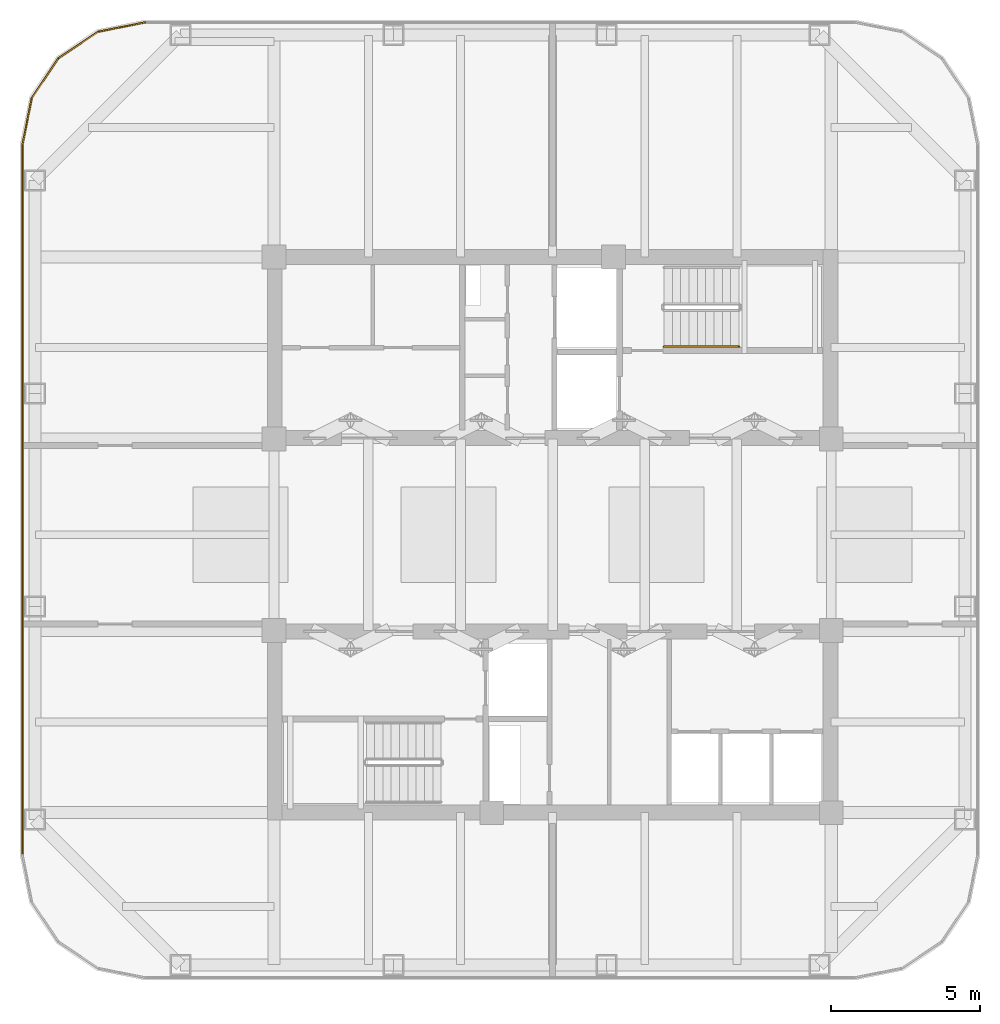
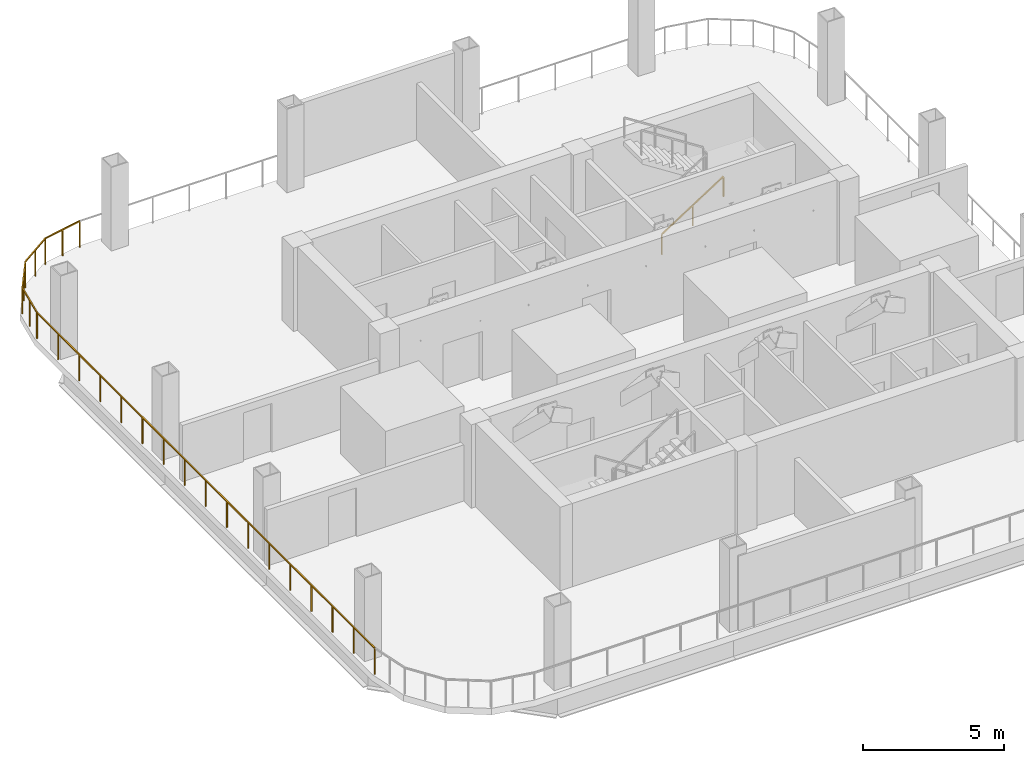
# One storey, part 6 of 9: 6 railings.
"""IFC4 building model written with IfcOpenShell, lengths in metres."""

from ifc_helpers import new_model, si_unit, direction, frame, origin, origin_2d, place, context, subcontext, project, spatial, rectangle, extrude, material, type_object, element, save


model = new_model("IFC4")

# Units and contexts
model_context = context("Model", 3, precision=1e-05, world=origin(), true_north=direction((0.0, 1.0)))
body_context = subcontext(model_context, "Body", "Model", "MODEL_VIEW")
ifc_project = project(units=[si_unit("LENGTHUNIT", "METRE"), si_unit("AREAUNIT", "SQUARE_METRE"), si_unit("VOLUMEUNIT", "CUBIC_METRE"), si_unit("PLANEANGLEUNIT", "RADIAN"), si_unit("MASSUNIT", "GRAM", prefix="KILO")], contexts=[model_context])

# Site, building, storey
site_placement = place(None, origin())
site = spatial("IfcSite", under=ifc_project, at=site_placement, CompositionType="ELEMENT")
building_placement = place(site_placement, origin())
building = spatial("IfcBuilding", under=site, at=building_placement, Name="Qhalaya Broadcast Tower", CompositionType="ELEMENT")
storey_placement = place(building_placement, frame((0.0, 0.0, 191.550048828125)))
storey = spatial("IfcBuildingStorey", under=building, at=storey_placement, Name="L56", CompositionType="ELEMENT", Elevation=191.550048828125)

# Railings
ifc_material = material(Name="Powder-Coated Galvanised Steel", Category="steel")
railing_type_1 = type_object("IfcRailingType", Name="Stair Wall Handrail 900", PredefinedType="HANDRAIL", material=ifc_material)
railing_1_placement = place(storey_placement, frame((3.75, 6.929931640625, 0.179931640625)))
element("IfcRailing", 1, at=railing_1_placement, inside=storey, type_object=railing_type_1, Name="L56 ST-1 Stair Handrail 1", PredefinedType="HANDRAIL", context=body_context, shape_type="SweptSolid", body=[
    extrude(rectangle(XDim=0.048095703125, YDim=0.048095703125, at=origin_2d()), frame((0.0, 0.0, 0.8759765625), z_axis=(0.841162588446, 0.0, 0.540782303519), x_axis=(0.0, 1.0, 0.0)), (0.0, 0.0, 1.0), 2.995849609375),
    extrude(rectangle(XDim=0.0419921875, YDim=0.0419921875, at=origin_2d()), origin(), (0.0, 0.0, 1.0), 0.849853515625),
    extrude(rectangle(XDim=0.0419921875, YDim=0.0419921875, at=origin_2d()), frame((1.260009765625, 0.0, 0.81005859375)), (0.0, 0.0, 1.0), 0.849853515625),
    extrude(rectangle(XDim=0.0419921875, YDim=0.0419921875, at=origin_2d()), frame((2.52001953125, 0.0, 1.6201171875)), (0.0, 0.0, 1.0), 0.849853515625),
])
railing_type_2 = type_object("IfcRailingType", Name="Terrace, Sky-Pool & Lookout Glass Balustrade 1150", PredefinedType="BALUSTRADE", material=ifc_material)
railing_2_placement = place(storey_placement, frame((-17.840087890625, -10.172119140625, 0.0)))
element("IfcRailing", 2, at=railing_2_placement, inside=storey, type_object=railing_type_2, Name="L56 Wind Slot Edge Guard 06", PredefinedType="BALUSTRADE", context=body_context, shape_type="SweptSolid", body=[
    extrude(rectangle(XDim=0.048095703125, YDim=0.048095703125, at=origin_2d()), frame((0.0, 0.0, 1.1259765625), z_axis=(0.0, 1.0, 0.0), x_axis=(-1.0, 0.0, 0.0)), (0.0, 0.0, 1.0), 23.88427734375),
    extrude(rectangle(XDim=0.0419921875, YDim=0.0419921875, at=origin_2d()), origin(), (0.0, 0.0, 1.0), 1.099853515625),
    extrude(rectangle(XDim=0.0419921875, YDim=0.0419921875, at=origin_2d()), frame((0.0, 1.49267578125, 0.0)), (0.0, 0.0, 1.0), 1.099853515625),
    extrude(rectangle(XDim=0.0419921875, YDim=0.0419921875, at=origin_2d()), frame((0.0, 2.985595703125, 0.0)), (0.0, 0.0, 1.0), 1.099853515625),
    extrude(rectangle(XDim=0.0419921875, YDim=0.0419921875, at=origin_2d()), frame((0.0, 4.478271484375, 0.0)), (0.0, 0.0, 1.0), 1.099853515625),
    extrude(rectangle(XDim=0.0419921875, YDim=0.0419921875, at=origin_2d()), frame((0.0, 5.97119140625, 0.0)), (0.0, 0.0, 1.0), 1.099853515625),
    extrude(rectangle(XDim=0.0419921875, YDim=0.0419921875, at=origin_2d()), frame((0.0, 7.4638671875, 0.0)), (0.0, 0.0, 1.0), 1.099853515625),
    extrude(rectangle(XDim=0.0419921875, YDim=0.0419921875, at=origin_2d()), frame((0.0, 8.95654296875, 0.0)), (0.0, 0.0, 1.0), 1.099853515625),
    extrude(rectangle(XDim=0.0419921875, YDim=0.0419921875, at=origin_2d()), frame((0.0, 10.449462890625, 0.0)), (0.0, 0.0, 1.0), 1.099853515625),
    extrude(rectangle(XDim=0.0419921875, YDim=0.0419921875, at=origin_2d()), frame((0.0, 11.942138671875, 0.0)), (0.0, 0.0, 1.0), 1.099853515625),
    extrude(rectangle(XDim=0.0419921875, YDim=0.0419921875, at=origin_2d()), frame((0.0, 13.434814453125, 0.0)), (0.0, 0.0, 1.0), 1.099853515625),
    extrude(rectangle(XDim=0.0419921875, YDim=0.0419921875, at=origin_2d()), frame((0.0, 14.927734375, 0.0)), (0.0, 0.0, 1.0), 1.099853515625),
    extrude(rectangle(XDim=0.0419921875, YDim=0.0419921875, at=origin_2d()), frame((0.0, 16.42041015625, 0.0)), (0.0, 0.0, 1.0), 1.099853515625),
    extrude(rectangle(XDim=0.0419921875, YDim=0.0419921875, at=origin_2d()), frame((0.0, 17.9130859375, 0.0)), (0.0, 0.0, 1.0), 1.099853515625),
    extrude(rectangle(XDim=0.0419921875, YDim=0.0419921875, at=origin_2d()), frame((0.0, 19.406005859375, 0.0)), (0.0, 0.0, 1.0), 1.099853515625),
    extrude(rectangle(XDim=0.0419921875, YDim=0.0419921875, at=origin_2d()), frame((0.0, 20.898681640625, 0.0)), (0.0, 0.0, 1.0), 1.099853515625),
    extrude(rectangle(XDim=0.0419921875, YDim=0.0419921875, at=origin_2d()), frame((0.0, 22.3916015625, 0.0)), (0.0, 0.0, 1.0), 1.099853515625),
    extrude(rectangle(XDim=0.0419921875, YDim=0.0419921875, at=origin_2d()), frame((0.0, 23.88427734375, 0.0)), (0.0, 0.0, 1.0), 1.099853515625),
])
railing_3_placement = place(storey_placement, frame((-17.840087890625, 13.712158203125, 0.0)))
element("IfcRailing", 3, at=railing_3_placement, inside=storey, type_object=railing_type_2, Name="L56 Wind Slot Edge Guard 07", PredefinedType="BALUSTRADE", context=body_context, shape_type="SweptSolid", body=[
    extrude(rectangle(XDim=0.048095703125, YDim=0.048095703125, at=origin_2d()), frame((0.0, 0.0, 1.1259765625), z_axis=(0.195156711682, 0.980772072342, 0.0), x_axis=(-0.980772072342, 0.195156711682, 0.0)), (0.0, 0.0, 1.0), 1.614990234375),
    extrude(rectangle(XDim=0.0419921875, YDim=0.0419921875, at=origin_2d()), origin(), (0.0, 0.0, 1.0), 1.099853515625),
    extrude(rectangle(XDim=0.0419921875, YDim=0.0419921875, at=origin_2d()), frame((0.15771484375, 0.7919921875, 0.0)), (0.0, 0.0, 1.0), 1.099853515625),
    extrude(rectangle(XDim=0.0419921875, YDim=0.0419921875, at=origin_2d()), frame((0.315185546875, 1.583984375, 0.0)), (0.0, 0.0, 1.0), 1.099853515625),
])
railing_4_placement = place(storey_placement, frame((-17.52490234375, 15.296142578125, 0.0)))
element("IfcRailing", 4, at=railing_4_placement, inside=storey, type_object=railing_type_2, Name="L56 Wind Slot Edge Guard 08", PredefinedType="BALUSTRADE", context=body_context, shape_type="SweptSolid", body=[
    extrude(rectangle(XDim=0.048095703125, YDim=0.048095703125, at=origin_2d()), frame((0.0, 0.0, 1.1259765625), z_axis=(0.555646543594, 0.831418618142, 0.0), x_axis=(-0.831418618142, 0.555646543594, 0.0)), (0.0, 0.0, 1.0), 1.60693359375),
    extrude(rectangle(XDim=0.0419921875, YDim=0.0419921875, at=origin_2d()), origin(), (0.0, 0.0, 1.0), 1.099853515625),
    extrude(rectangle(XDim=0.0419921875, YDim=0.0419921875, at=origin_2d()), frame((0.4462890625, 0.66796875, 0.0)), (0.0, 0.0, 1.0), 1.099853515625),
    extrude(rectangle(XDim=0.0419921875, YDim=0.0419921875, at=origin_2d()), frame((0.892822265625, 1.3359375, 0.0)), (0.0, 0.0, 1.0), 1.099853515625),
])
railing_5_placement = place(storey_placement, frame((-16.632080078125, 16.632080078125, 0.0)))
element("IfcRailing", 5, at=railing_5_placement, inside=storey, type_object=railing_type_2, Name="L56 Wind Slot Edge Guard 09", PredefinedType="BALUSTRADE", context=body_context, shape_type="SweptSolid", body=[
    extrude(rectangle(XDim=0.048095703125, YDim=0.048095703125, at=origin_2d()), frame((0.0, 0.0, 1.1259765625), z_axis=(0.831418618142, 0.555646543594, 0.0), x_axis=(-0.555646543594, 0.831418618142, 0.0)), (0.0, 0.0, 1.0), 1.60693359375),
    extrude(rectangle(XDim=0.0419921875, YDim=0.0419921875, at=origin_2d()), origin(), (0.0, 0.0, 1.0), 1.099853515625),
    extrude(rectangle(XDim=0.0419921875, YDim=0.0419921875, at=origin_2d()), frame((0.66796875, 0.4462890625, 0.0)), (0.0, 0.0, 1.0), 1.099853515625),
    extrude(rectangle(XDim=0.0419921875, YDim=0.0419921875, at=origin_2d()), frame((1.3359375, 0.892822265625, 0.0)), (0.0, 0.0, 1.0), 1.099853515625),
])
railing_6_placement = place(storey_placement, frame((-15.296142578125, 17.52490234375, 0.0)))
element("IfcRailing", 6, at=railing_6_placement, inside=storey, type_object=railing_type_2, Name="L56 Wind Slot Edge Guard 10", PredefinedType="BALUSTRADE", context=body_context, shape_type="SweptSolid", body=[
    extrude(rectangle(XDim=0.048095703125, YDim=0.048095703125, at=origin_2d()), frame((0.0, 0.0, 1.1259765625), z_axis=(0.980772072342, 0.195156711682, 0.0), x_axis=(-0.195156711682, 0.980772072342, 0.0)), (0.0, 0.0, 1.0), 1.614990234375),
    extrude(rectangle(XDim=0.0419921875, YDim=0.0419921875, at=origin_2d()), origin(), (0.0, 0.0, 1.0), 1.099853515625),
    extrude(rectangle(XDim=0.0419921875, YDim=0.0419921875, at=origin_2d()), frame((0.7919921875, 0.15771484375, 0.0)), (0.0, 0.0, 1.0), 1.099853515625),
    extrude(rectangle(XDim=0.0419921875, YDim=0.0419921875, at=origin_2d()), frame((1.583984375, 0.315185546875, 0.0)), (0.0, 0.0, 1.0), 1.099853515625),
])

save(model, "model.ifc")
